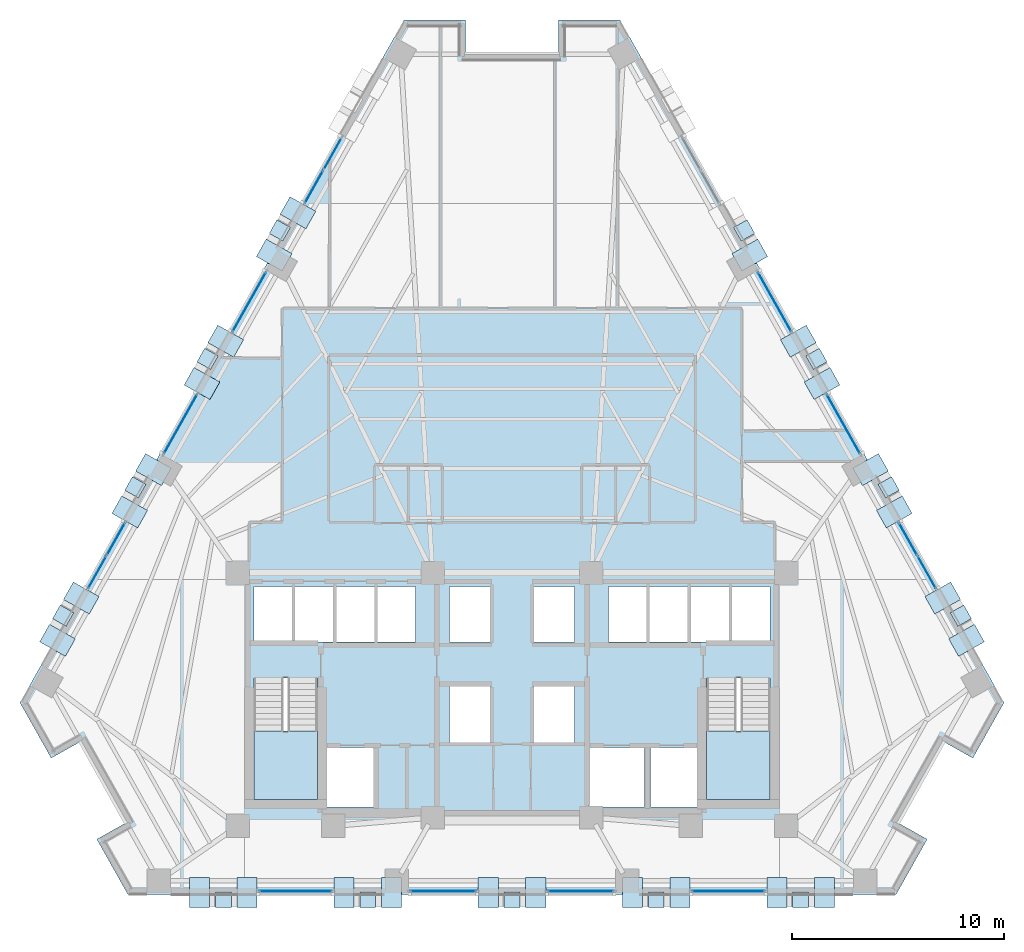
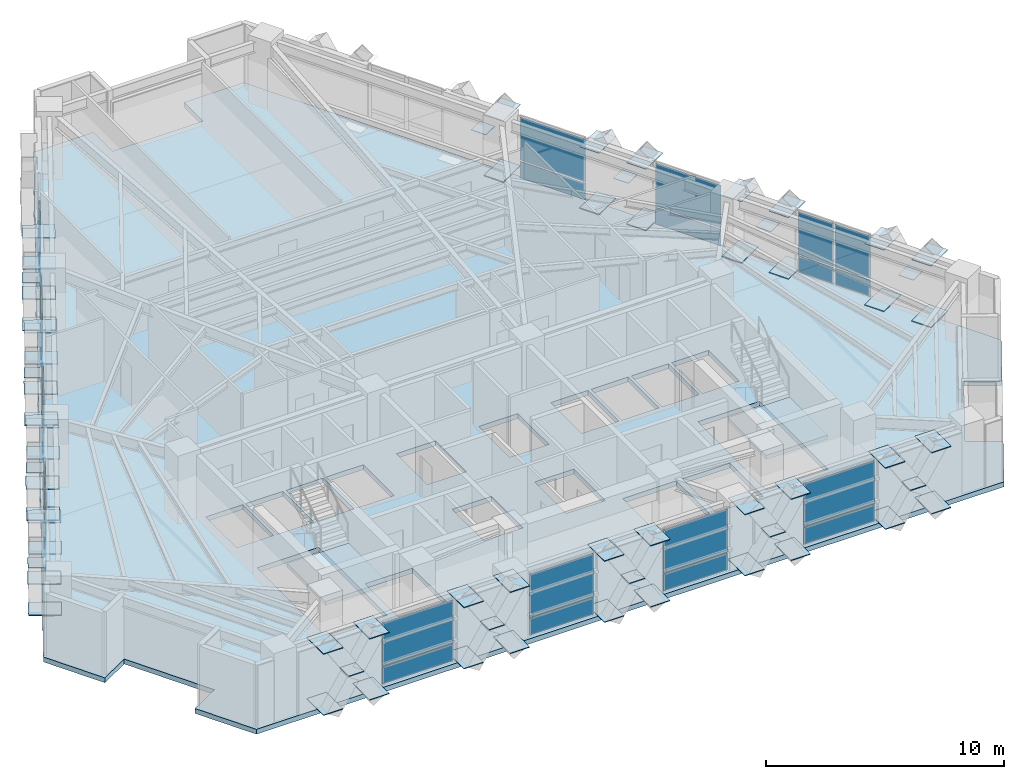
# One storey, part 6 of 14: 90 plates, 3 slabs, 13 elements without a shape of their own.
"""IFC4 building model written with IfcOpenShell, lengths in metres."""

import ifcopenshell
import ifcopenshell.guid

model = None  # the IFC model being written
_history = None  # IfcOwnerHistory: only IFC2X3 demands one
_inside = {}  # id of a spatial element -> (the spatial element, [elements in it])
_under = {}  # id of a project, library or spatial element -> (it, [spatial elements below it])
_declared = {}  # id of a project -> (the project, [libraries it declares])
_typed = {}  # id of a type object -> (the type object, [elements of that type])
_made_of = {}  # id of a material, layer set ... -> (it, [elements and type objects made of it])


def new_model(schema):
    """Start an empty IFC model of exactly this schema.

    Asked for "IFC4X3", IfcOpenShell would pick the latest addendum, in which some entities
    have other attributes; the version numbers below select the first issue.
    IFC2X3 requires an IfcOwnerHistory on every rooted entity: one is made here for all.
    """
    global model, _history
    if schema == "IFC4X3":
        model = ifcopenshell.file(schema_version=(4, 3, 0, 0))
    else:
        model = ifcopenshell.file(schema=schema)
    _inside.clear()
    _under.clear()
    _declared.clear()
    _typed.clear()
    _made_of.clear()
    _history = None
    if model.schema == "IFC2X3":
        org = make("IfcOrganization", Name="unknown")
        user = make(
            "IfcPersonAndOrganization",
            ThePerson=make("IfcPerson", FamilyName="unknown"),
            TheOrganization=org,
        )
        app = make(
            "IfcApplication",
            ApplicationDeveloper=org,
            Version="unknown",
            ApplicationFullName="unknown",
            ApplicationIdentifier="unknown",
        )
        _history = make(
            "IfcOwnerHistory",
            OwningUser=user,
            OwningApplication=app,
            ChangeAction="ADDED",
            CreationDate=0,
        )
    return model


def make(cls, **values):
    """One entity of the class cls with the attributes given. An attribute that is None is left unset."""
    return model.create_entity(
        cls, **{name: value for name, value in values.items() if value is not None}
    )


def rooted(cls, **values):
    """An entity with a GlobalId (a new one), such as an element, a storey or a relation."""
    return make(cls, GlobalId=ifcopenshell.guid.new(), OwnerHistory=_history, **values)


def si_unit(unit_type, name, prefix=None):
    """IfcSIUnit, for example si_unit("LENGTHUNIT", "METRE", prefix="MILLI")."""
    return make("IfcSIUnit", UnitType=unit_type, Prefix=prefix, Name=name)


def assignment(units):
    """IfcUnitAssignment: the units of a project."""
    return None if units is None else make("IfcUnitAssignment", Units=units)


def point(xyz):
    """IfcCartesianPoint."""
    return None if xyz is None else make("IfcCartesianPoint", Coordinates=xyz)


def direction(xyz):
    """IfcDirection."""
    return None if xyz is None else make("IfcDirection", DirectionRatios=xyz)


def frame(location, z_axis=None, x_axis=None):
    """IfcAxis2Placement3D, a coordinate frame: its origin and axes. An axis left out is left unset."""
    return make(
        "IfcAxis2Placement3D",
        Location=point(location),
        Axis=direction(z_axis),
        RefDirection=direction(x_axis),
    )


def frame_2d(location, x_axis=None):
    """IfcAxis2Placement2D, a coordinate frame in the plane: its origin and x axis."""
    return make(
        "IfcAxis2Placement2D", Location=point(location), RefDirection=direction(x_axis)
    )


def origin():
    """The frame at (0, 0, 0) with its axes left unset."""
    return frame((0.0, 0.0, 0.0))


def origin_2d():
    """The frame at (0, 0) in the plane with its x axis left unset."""
    return frame_2d((0.0, 0.0))


def place(relative_to, where):
    """IfcLocalPlacement: puts the frame where relative to a parent placement (None: the world)."""
    return make(
        "IfcLocalPlacement", PlacementRelTo=relative_to, RelativePlacement=where
    )


def context(
    kind, dimensions, precision=None, world=None, true_north=None, identifier=None
):
    """IfcGeometricRepresentationContext, for example the 3D "Model" context."""
    return make(
        "IfcGeometricRepresentationContext",
        ContextIdentifier=identifier,
        ContextType=kind,
        CoordinateSpaceDimension=dimensions,
        Precision=precision,
        WorldCoordinateSystem=world,
        TrueNorth=true_north,
    )


def subcontext(parent, identifier, kind, view, scale=None):
    """IfcGeometricRepresentationSubContext, for example "Body" below "Model"."""
    return make(
        "IfcGeometricRepresentationSubContext",
        ContextIdentifier=identifier,
        ContextType=kind,
        ParentContext=parent,
        TargetScale=scale,
        TargetView=view,
    )


def project(units=None, contexts=None):
    """IfcProject with its units and contexts."""
    return rooted(
        "IfcProject",
        Name="project",
        RepresentationContexts=contexts,
        UnitsInContext=assignment(units),
    )


def spatial(cls, under=None, at=None, **own):
    """A site, building, storey or space (cls), placed at a placement, below another one or the project."""
    s = rooted(cls, ObjectPlacement=at, **own)
    if under is not None:
        _under.setdefault(under.id(), (under, []))[1].append(s)
    return s


def polyline(points):
    """IfcPolyline through the points."""
    return make("IfcPolyline", Points=[point(p) for p in points])


def profile(cls, at=None, kind="AREA", **sizes):
    """A parametric profile (cls). Its sizes go by their IFC names, for example OverallWidth=200.0."""
    return make(cls, ProfileType=kind, Position=at, **sizes)


def rectangle(**sizes):
    """IfcRectangleProfileDef."""
    return profile("IfcRectangleProfileDef", **sizes)


def outline(outer, holes=None, kind="AREA"):
    """IfcArbitraryClosedProfileDef: a profile drawn as a closed curve; with holes, ...WithVoids."""
    if holes is None:
        return make("IfcArbitraryClosedProfileDef", ProfileType=kind, OuterCurve=outer)
    return make(
        "IfcArbitraryProfileDefWithVoids",
        ProfileType=kind,
        OuterCurve=outer,
        InnerCurves=holes,
    )


def extrude(swept, where, along, depth):
    """IfcExtrudedAreaSolid: the profile swept, set in the frame where, extruded along a direction by depth."""
    return make(
        "IfcExtrudedAreaSolid",
        SweptArea=swept,
        Position=where,
        ExtrudedDirection=direction(along),
        Depth=depth,
    )


def shape(context_of_items, identifier, shape_type, items):
    """IfcShapeRepresentation: the items that make up one representation, for example the "Body"."""
    return make(
        "IfcShapeRepresentation",
        ContextOfItems=context_of_items,
        RepresentationIdentifier=identifier,
        RepresentationType=shape_type,
        Items=items,
    )


def material(Name=None, Category=None):
    """IfcMaterial."""
    return make("IfcMaterial", Name=Name, Category=Category)


def layer(
    of_material, thickness, ventilated=None, Name=None, Category=None, Priority=None
):
    """IfcMaterialLayer: one layer of a wall or slab, of a material (None: an air gap)."""
    return make(
        "IfcMaterialLayer",
        Material=of_material,
        LayerThickness=thickness,
        IsVentilated=ventilated,
        Name=Name,
        Category=Category,
        Priority=Priority,
    )


def layer_set(layers, Name=None):
    """IfcMaterialLayerSet."""
    return make("IfcMaterialLayerSet", MaterialLayers=layers, LayerSetName=Name)


def made_of(thing, what):
    """Note that an element or type object is made of a material, layer set ...; save() writes the relation."""
    if what is not None:
        _made_of.setdefault(what.id(), (what, []))[1].append(thing)
    return thing


def type_object(cls, material=None, **own):
    """A type object (cls), such as IfcWallType, which elements share."""
    return made_of(rooted(cls, **own), material)


def element(
    cls,
    number,
    at=None,
    inside=None,
    cuts=None,
    type_object=None,
    material=None,
    context=None,
    identifier="Body",
    shape_type=None,
    held_by="IfcProductDefinitionShape",
    body=None,
    shapes=None,
    **own,
):
    """One element of the class cls, such as IfcWall. Its Tag is "e" and its number.

    at: its placement. inside: the storey or other place that contains it. cuts: it is an
    opening in that element (IfcRelVoidsElement). A single representation is given by context,
    identifier, shape_type and body (its items); several are given by shapes. held_by: the class
    of the entity that holds the representations. save() writes the other relations.
    """
    e = rooted(cls, Tag="e%d" % number, ObjectPlacement=at, **own)
    if body is not None:
        shapes = [shape(context, identifier, shape_type, body)]
    if shapes is not None:
        e.Representation = make(held_by, Representations=shapes)
    if inside is not None:
        _inside.setdefault(inside.id(), (inside, []))[1].append(e)
    if cuts is not None:
        rooted(
            "IfcRelVoidsElement", RelatingBuildingElement=cuts, RelatedOpeningElement=e
        )
    if type_object is not None:
        _typed.setdefault(type_object.id(), (type_object, []))[1].append(e)
    return made_of(e, material)


def aggregate(whole, parts):
    """IfcRelAggregates: a whole, such as a stair, and the parts it consists of."""
    return rooted("IfcRelAggregates", RelatingObject=whole, RelatedObjects=parts)


def save(model, path):
    """Write the relations noted so far, then the file.

    IfcRelAggregates (storeys below a building ...), IfcRelContainedInSpatialStructure (elements
    in a storey), IfcRelDefinesByType, IfcRelAssociatesMaterial and IfcRelDeclares: one each for
    every whole, place, type object, material and project.
    """
    for whole, parts in _under.values():
        aggregate(whole, parts)
    for where, things in _inside.values():
        rooted(
            "IfcRelContainedInSpatialStructure",
            RelatedElements=things,
            RelatingStructure=where,
        )
    for kind, things in _typed.values():
        rooted("IfcRelDefinesByType", RelatedObjects=things, RelatingType=kind)
    for what, things in _made_of.values():
        rooted("IfcRelAssociatesMaterial", RelatedObjects=things, RelatingMaterial=what)
    for by, libraries in _declared.values():
        rooted("IfcRelDeclares", RelatingContext=by, RelatedDefinitions=libraries)
    model.write(path)


model = new_model("IFC4")

# Units and contexts
model_context = context("Model", 3, precision=1e-05, world=origin(), true_north=direction((0.0, 1.0)))
body_context = subcontext(model_context, "Body", "Model", "MODEL_VIEW")
ifc_project = project(units=[si_unit("LENGTHUNIT", "METRE"), si_unit("AREAUNIT", "SQUARE_METRE"), si_unit("VOLUMEUNIT", "CUBIC_METRE"), si_unit("PLANEANGLEUNIT", "RADIAN"), si_unit("MASSUNIT", "GRAM", prefix="KILO")], contexts=[model_context])

# Site, building, storey
site_placement = place(None, origin())
site = spatial("IfcSite", under=ifc_project, at=site_placement, CompositionType="ELEMENT")
building_placement = place(site_placement, origin())
building = spatial("IfcBuilding", under=site, at=building_placement, Name="Quenlor Broadcast Tower", CompositionType="ELEMENT")
storey_placement = place(building_placement, frame((0.0, 0.0, 80.10009765625)))
storey = spatial("IfcBuildingStorey", under=building, at=storey_placement, Name="L21", CompositionType="ELEMENT", Elevation=80.10009765625)

# Curtain wall, plates
ifc_material_1 = material(Name="Architectural Terracotta and Low-E Glazing", Category="masonry")
curtain_wall_type = type_object("IfcCurtainWallType", Name="Unitised Terracotta Curtain Wall System Z2", PredefinedType="NOTDEFINED", material=ifc_material_1)
curtain_wall_1_placement = place(storey_placement, origin())
curtain_wall_1 = element("IfcCurtainWall", 1, at=curtain_wall_1_placement, inside=storey, type_object=curtain_wall_type, Name="L21 Curtain Wall CW2 (L21-SA-G1)", PredefinedType="NOTDEFINED")
ifc_material_2 = material(Name="Double Glazed Low-E Solar Glass", Category="glass")
ifc_layer_1 = layer(ifc_material_2, 0.030029296875)
ifc_layer_set_1 = layer_set([ifc_layer_1], Name="CW2 Double Glazed Vision Panel 30")
plate_type_1 = type_object("IfcPlateType", Name="CW2 Double Glazed Vision Panel 30", PredefinedType="CURTAIN_PANEL", material=ifc_layer_set_1)
plate_1_placement = place(storey_placement, frame((10.226318359375, -19.840087890625, 0.074951171875), z_axis=(0.0, 0.0, 1.0), x_axis=(-1.0, 0.0, 0.0)))
plate_1 = element("IfcPlate", 2, at=plate_1_placement, type_object=plate_type_1, Name="CW2 panel 1.1", PredefinedType="CURTAIN_PANEL", context=body_context, shape_type="SweptSolid", body=[
    extrude(rectangle(XDim=3.435546875, YDim=0.030029296875, at=origin_2d()), origin(), (0.0, 0.0, 1.0), 0.83740234375),
])
plate_2_placement = place(storey_placement, frame((10.226318359375, -19.840087890625, 0.9873046875), z_axis=(0.0, 0.0, 1.0), x_axis=(-1.0, 0.0, 0.0)))
plate_2 = element("IfcPlate", 3, at=plate_2_placement, type_object=plate_type_1, Name="CW2 panel 1.2", PredefinedType="CURTAIN_PANEL", context=body_context, shape_type="SweptSolid", body=[
    extrude(rectangle(XDim=3.435546875, YDim=0.030029296875, at=origin_2d()), origin(), (0.0, 0.0, 1.0), 2.1875),
])
aggregate(curtain_wall_1, [plate_1, plate_2])

curtain_wall_2_placement = place(storey_placement, origin())
curtain_wall_2 = element("IfcCurtainWall", 4, at=curtain_wall_2_placement, inside=storey, type_object=curtain_wall_type, Name="L21 Curtain Wall CW2 (L21-SC-G1)", PredefinedType="NOTDEFINED")
plate_3_placement = place(storey_placement, frame((-10.226318359375, -19.840087890625, 0.074951171875), z_axis=(0.0, 0.0, 1.0), x_axis=(-1.0, 0.0, 0.0)))
plate_3 = element("IfcPlate", 5, at=plate_3_placement, type_object=plate_type_1, Name="CW2 panel 1.1", PredefinedType="CURTAIN_PANEL", context=body_context, shape_type="SweptSolid", body=[
    extrude(rectangle(XDim=3.435546875, YDim=0.030029296875, at=origin_2d()), origin(), (0.0, 0.0, 1.0), 0.83740234375),
])
plate_4_placement = place(storey_placement, frame((-10.226318359375, -19.840087890625, 0.9873046875), z_axis=(0.0, 0.0, 1.0), x_axis=(-1.0, 0.0, 0.0)))
plate_4 = element("IfcPlate", 6, at=plate_4_placement, type_object=plate_type_1, Name="CW2 panel 1.2", PredefinedType="CURTAIN_PANEL", context=body_context, shape_type="SweptSolid", body=[
    extrude(rectangle(XDim=3.435546875, YDim=0.030029296875, at=origin_2d()), origin(), (0.0, 0.0, 1.0), 2.1875),
])
aggregate(curtain_wall_2, [plate_3, plate_4])

curtain_wall_3_placement = place(storey_placement, origin())
curtain_wall_3 = element("IfcCurtainWall", 7, at=curtain_wall_3_placement, inside=storey, type_object=curtain_wall_type, Name="L21 Curtain Wall CW2 (L21-S-G1)", PredefinedType="NOTDEFINED")
plate_5_placement = place(storey_placement, frame((3.24462890625, -19.840087890625, 0.074951171875), z_axis=(0.0, 0.0, 1.0), x_axis=(-1.0, 0.0, 0.0)))
plate_5 = element("IfcPlate", 8, at=plate_5_placement, type_object=plate_type_1, Name="CW2 panel 1.1", PredefinedType="CURTAIN_PANEL", context=body_context, shape_type="SweptSolid", body=[
    extrude(rectangle(XDim=3.107177734375, YDim=0.030029296875, at=origin_2d()), origin(), (0.0, 0.0, 1.0), 0.83740234375),
])
plate_6_placement = place(storey_placement, frame((3.24462890625, -19.840087890625, 0.9873046875), z_axis=(0.0, 0.0, 1.0), x_axis=(-1.0, 0.0, 0.0)))
plate_6 = element("IfcPlate", 9, at=plate_6_placement, type_object=plate_type_1, Name="CW2 panel 1.2", PredefinedType="CURTAIN_PANEL", context=body_context, shape_type="SweptSolid", body=[
    extrude(rectangle(XDim=3.107177734375, YDim=0.030029296875, at=origin_2d()), origin(), (0.0, 0.0, 1.0), 2.1875),
])
aggregate(curtain_wall_3, [plate_5, plate_6])

curtain_wall_4_placement = place(storey_placement, origin())
curtain_wall_4 = element("IfcCurtainWall", 10, at=curtain_wall_4_placement, inside=storey, type_object=curtain_wall_type, Name="L21 Curtain Wall CW2 (L21-S-G2)", PredefinedType="NOTDEFINED")
plate_7_placement = place(storey_placement, frame((-3.24462890625, -19.840087890625, 0.074951171875), z_axis=(0.0, 0.0, 1.0), x_axis=(-1.0, 0.0, 0.0)))
plate_7 = element("IfcPlate", 11, at=plate_7_placement, type_object=plate_type_1, Name="CW2 panel 1.1", PredefinedType="CURTAIN_PANEL", context=body_context, shape_type="SweptSolid", body=[
    extrude(rectangle(XDim=3.107177734375, YDim=0.030029296875, at=origin_2d()), origin(), (0.0, 0.0, 1.0), 0.83740234375),
])
plate_8_placement = place(storey_placement, frame((-3.24462890625, -19.840087890625, 0.9873046875), z_axis=(0.0, 0.0, 1.0), x_axis=(-1.0, 0.0, 0.0)))
plate_8 = element("IfcPlate", 12, at=plate_8_placement, type_object=plate_type_1, Name="CW2 panel 1.2", PredefinedType="CURTAIN_PANEL", context=body_context, shape_type="SweptSolid", body=[
    extrude(rectangle(XDim=3.107177734375, YDim=0.030029296875, at=origin_2d()), origin(), (0.0, 0.0, 1.0), 2.1875),
])
aggregate(curtain_wall_4, [plate_7, plate_8])

curtain_wall_5_placement = place(storey_placement, origin())
curtain_wall_5 = element("IfcCurtainWall", 13, at=curtain_wall_5_placement, inside=storey, type_object=curtain_wall_type, Name="L21 Curtain Wall CW2 (L21-NEC-G1)", PredefinedType="NOTDEFINED")
plate_9_placement = place(storey_placement, frame((18.712646484375, -3.193359375, 0.074951171875), z_axis=(0.0, 0.0, 1.0), x_axis=(0.490276701018, -0.871566839915, 0.0)))
plate_9 = element("IfcPlate", 14, at=plate_9_placement, type_object=plate_type_1, Name="CW2 panel 1.1", PredefinedType="CURTAIN_PANEL", context=body_context, shape_type="SweptSolid", body=[
    extrude(rectangle(XDim=1.72998046875, YDim=0.030029296875, at=origin_2d()), origin(), (0.0, 0.0, 1.0), 0.83740234375),
])
plate_10_placement = place(storey_placement, frame((18.712646484375, -3.193359375, 0.9873046875), z_axis=(0.0, 0.0, 1.0), x_axis=(0.490276701018, -0.871566839915, 0.0)))
plate_10 = element("IfcPlate", 15, at=plate_10_placement, type_object=plate_type_1, Name="CW2 panel 1.2", PredefinedType="CURTAIN_PANEL", context=body_context, shape_type="SweptSolid", body=[
    extrude(rectangle(XDim=1.72998046875, YDim=0.030029296875, at=origin_2d()), origin(), (0.0, 0.0, 1.0), 2.1875),
])
plate_11_placement = place(storey_placement, frame((19.59765625, -4.7666015625, 0.074951171875), z_axis=(0.0, 0.0, 1.0), x_axis=(0.490276701018, -0.871566839915, 0.0)))
plate_11 = element("IfcPlate", 16, at=plate_11_placement, type_object=plate_type_1, Name="CW2 panel 2.1", PredefinedType="CURTAIN_PANEL", context=body_context, shape_type="SweptSolid", body=[
    extrude(rectangle(XDim=1.72998046875, YDim=0.030029296875, at=origin_2d()), origin(), (0.0, 0.0, 1.0), 0.83740234375),
])
plate_12_placement = place(storey_placement, frame((19.59765625, -4.7666015625, 0.9873046875), z_axis=(0.0, 0.0, 1.0), x_axis=(0.490276701018, -0.871566839915, 0.0)))
plate_12 = element("IfcPlate", 17, at=plate_12_placement, type_object=plate_type_1, Name="CW2 panel 2.2", PredefinedType="CURTAIN_PANEL", context=body_context, shape_type="SweptSolid", body=[
    extrude(rectangle(XDim=1.72998046875, YDim=0.030029296875, at=origin_2d()), origin(), (0.0, 0.0, 1.0), 2.1875),
])
aggregate(curtain_wall_5, [plate_9, plate_10, plate_11, plate_12])

curtain_wall_6_placement = place(storey_placement, origin())
curtain_wall_6 = element("IfcCurtainWall", 18, at=curtain_wall_6_placement, inside=storey, type_object=curtain_wall_type, Name="L21 Curtain Wall CW2 (L21-NE-G1)", PredefinedType="NOTDEFINED")
plate_13_placement = place(storey_placement, frame((12.412841796875, 8.00634765625, 0.074951171875), z_axis=(0.0, 0.0, 1.0), x_axis=(0.490261239636, -0.871575537123, 0.0)))
plate_13 = element("IfcPlate", 19, at=plate_13_placement, type_object=plate_type_1, Name="CW2 panel 1.1", PredefinedType="CURTAIN_PANEL", context=body_context, shape_type="SweptSolid", body=[
    extrude(rectangle(XDim=3.19287109375, YDim=0.030029296875, at=origin_2d()), origin(), (0.0, 0.0, 1.0), 0.83740234375),
])
plate_14_placement = place(storey_placement, frame((12.412841796875, 8.00634765625, 0.9873046875), z_axis=(0.0, 0.0, 1.0), x_axis=(0.490261239636, -0.871575537123, 0.0)))
plate_14 = element("IfcPlate", 20, at=plate_14_placement, type_object=plate_type_1, Name="CW2 panel 1.2", PredefinedType="CURTAIN_PANEL", context=body_context, shape_type="SweptSolid", body=[
    extrude(rectangle(XDim=3.19287109375, YDim=0.030029296875, at=origin_2d()), origin(), (0.0, 0.0, 1.0), 2.1875),
])
aggregate(curtain_wall_6, [plate_13, plate_14])

curtain_wall_7_placement = place(storey_placement, origin())
curtain_wall_7 = element("IfcCurtainWall", 21, at=curtain_wall_7_placement, inside=storey, type_object=curtain_wall_type, Name="L21 Curtain Wall CW2 (L21-NE-G2)", PredefinedType="NOTDEFINED")
plate_15_placement = place(storey_placement, frame((15.658203125, 2.23681640625, 0.074951171875), z_axis=(0.0, 0.0, 1.0), x_axis=(0.490261239636, -0.871575537123, 0.0)))
plate_15 = element("IfcPlate", 22, at=plate_15_placement, type_object=plate_type_1, Name="CW2 panel 1.1", PredefinedType="CURTAIN_PANEL", context=body_context, shape_type="SweptSolid", body=[
    extrude(rectangle(XDim=3.19287109375, YDim=0.030029296875, at=origin_2d()), origin(), (0.0, 0.0, 1.0), 0.83740234375),
])
plate_16_placement = place(storey_placement, frame((15.658203125, 2.23681640625, 0.9873046875), z_axis=(0.0, 0.0, 1.0), x_axis=(0.490261239636, -0.871575537123, 0.0)))
plate_16 = element("IfcPlate", 23, at=plate_16_placement, type_object=plate_type_1, Name="CW2 panel 1.2", PredefinedType="CURTAIN_PANEL", context=body_context, shape_type="SweptSolid", body=[
    extrude(rectangle(XDim=3.19287109375, YDim=0.030029296875, at=origin_2d()), origin(), (0.0, 0.0, 1.0), 2.1875),
])
aggregate(curtain_wall_7, [plate_15, plate_16])

curtain_wall_8_placement = place(storey_placement, origin())
curtain_wall_8 = element("IfcCurtainWall", 24, at=curtain_wall_8_placement, inside=storey, type_object=curtain_wall_type, Name="L21 Curtain Wall CW2 (L21-NWA-G1)", PredefinedType="NOTDEFINED")
plate_17_placement = place(storey_placement, frame((-19.59765625, -4.7666015625, 0.074951171875), z_axis=(0.0, 0.0, 1.0), x_axis=(0.490276701018, 0.871566839915, 0.0)))
plate_17 = element("IfcPlate", 25, at=plate_17_placement, type_object=plate_type_1, Name="CW2 panel 1.1", PredefinedType="CURTAIN_PANEL", context=body_context, shape_type="SweptSolid", body=[
    extrude(rectangle(XDim=1.72998046875, YDim=0.030029296875, at=origin_2d()), origin(), (0.0, 0.0, 1.0), 0.83740234375),
])
plate_18_placement = place(storey_placement, frame((-19.59765625, -4.7666015625, 0.9873046875), z_axis=(0.0, 0.0, 1.0), x_axis=(0.490276701018, 0.871566839915, 0.0)))
plate_18 = element("IfcPlate", 26, at=plate_18_placement, type_object=plate_type_1, Name="CW2 panel 1.2", PredefinedType="CURTAIN_PANEL", context=body_context, shape_type="SweptSolid", body=[
    extrude(rectangle(XDim=1.72998046875, YDim=0.030029296875, at=origin_2d()), origin(), (0.0, 0.0, 1.0), 2.1875),
])
plate_19_placement = place(storey_placement, frame((-18.712646484375, -3.193359375, 0.074951171875), z_axis=(0.0, 0.0, 1.0), x_axis=(0.490276701018, 0.871566839915, 0.0)))
plate_19 = element("IfcPlate", 27, at=plate_19_placement, type_object=plate_type_1, Name="CW2 panel 2.1", PredefinedType="CURTAIN_PANEL", context=body_context, shape_type="SweptSolid", body=[
    extrude(rectangle(XDim=1.72998046875, YDim=0.030029296875, at=origin_2d()), origin(), (0.0, 0.0, 1.0), 0.83740234375),
])
plate_20_placement = place(storey_placement, frame((-18.712646484375, -3.193359375, 0.9873046875), z_axis=(0.0, 0.0, 1.0), x_axis=(0.490276701018, 0.871566839915, 0.0)))
plate_20 = element("IfcPlate", 28, at=plate_20_placement, type_object=plate_type_1, Name="CW2 panel 2.2", PredefinedType="CURTAIN_PANEL", context=body_context, shape_type="SweptSolid", body=[
    extrude(rectangle(XDim=1.72998046875, YDim=0.030029296875, at=origin_2d()), origin(), (0.0, 0.0, 1.0), 2.1875),
])
aggregate(curtain_wall_8, [plate_17, plate_18, plate_19, plate_20])

curtain_wall_9_placement = place(storey_placement, origin())
curtain_wall_9 = element("IfcCurtainWall", 29, at=curtain_wall_9_placement, inside=storey, type_object=curtain_wall_type, Name="L21 Curtain Wall CW2 (L21-NWC-G1)", PredefinedType="NOTDEFINED")
plate_21_placement = place(storey_placement, frame((-9.3583984375, 13.4365234375, 0.074951171875), z_axis=(0.0, 0.0, 1.0), x_axis=(0.490265104904, 0.871573362898, 0.0)))
plate_21 = element("IfcPlate", 30, at=plate_21_placement, type_object=plate_type_1, Name="CW2 panel 1.1", PredefinedType="CURTAIN_PANEL", context=body_context, shape_type="SweptSolid", body=[
    extrude(rectangle(XDim=1.72998046875, YDim=0.030029296875, at=origin_2d()), origin(), (0.0, 0.0, 1.0), 0.83740234375),
])
plate_22_placement = place(storey_placement, frame((-9.3583984375, 13.4365234375, 0.9873046875), z_axis=(0.0, 0.0, 1.0), x_axis=(0.490265104904, 0.871573362898, 0.0)))
plate_22 = element("IfcPlate", 31, at=plate_22_placement, type_object=plate_type_1, Name="CW2 panel 1.2", PredefinedType="CURTAIN_PANEL", context=body_context, shape_type="SweptSolid", body=[
    extrude(rectangle(XDim=1.72998046875, YDim=0.030029296875, at=origin_2d()), origin(), (0.0, 0.0, 1.0), 2.1875),
])
plate_23_placement = place(storey_placement, frame((-8.473388671875, 15.009765625, 0.074951171875), z_axis=(0.0, 0.0, 1.0), x_axis=(0.490265104904, 0.871573362898, 0.0)))
plate_23 = element("IfcPlate", 32, at=plate_23_placement, type_object=plate_type_1, Name="CW2 panel 2.1", PredefinedType="CURTAIN_PANEL", context=body_context, shape_type="SweptSolid", body=[
    extrude(rectangle(XDim=1.72998046875, YDim=0.030029296875, at=origin_2d()), origin(), (0.0, 0.0, 1.0), 0.83740234375),
])
aggregate(curtain_wall_9, [plate_21, plate_22, plate_23])

curtain_wall_10_placement = place(storey_placement, origin())
curtain_wall_10 = element("IfcCurtainWall", 33, at=curtain_wall_10_placement, inside=storey, type_object=curtain_wall_type, Name="L21 Curtain Wall CW2 (L21-NW-G1)", PredefinedType="NOTDEFINED")
plate_24_placement = place(storey_placement, frame((-15.658203125, 2.23681640625, 0.074951171875), z_axis=(0.0, 0.0, 1.0), x_axis=(0.490261239636, 0.871575537123, 0.0)))
plate_24 = element("IfcPlate", 34, at=plate_24_placement, type_object=plate_type_1, Name="CW2 panel 1.1", PredefinedType="CURTAIN_PANEL", context=body_context, shape_type="SweptSolid", body=[
    extrude(rectangle(XDim=3.19287109375, YDim=0.030029296875, at=origin_2d()), origin(), (0.0, 0.0, 1.0), 0.83740234375),
])
plate_25_placement = place(storey_placement, frame((-15.658203125, 2.23681640625, 0.9873046875), z_axis=(0.0, 0.0, 1.0), x_axis=(0.490261239636, 0.871575537123, 0.0)))
plate_25 = element("IfcPlate", 35, at=plate_25_placement, type_object=plate_type_1, Name="CW2 panel 1.2", PredefinedType="CURTAIN_PANEL", context=body_context, shape_type="SweptSolid", body=[
    extrude(rectangle(XDim=3.19287109375, YDim=0.030029296875, at=origin_2d()), origin(), (0.0, 0.0, 1.0), 2.1875),
])
aggregate(curtain_wall_10, [plate_24, plate_25])

curtain_wall_11_placement = place(storey_placement, origin())
curtain_wall_11 = element("IfcCurtainWall", 36, at=curtain_wall_11_placement, inside=storey, type_object=curtain_wall_type, Name="L21 Curtain Wall CW2 (L21-NW-G2)", PredefinedType="NOTDEFINED")
plate_26_placement = place(storey_placement, frame((-12.412841796875, 8.00634765625, 0.074951171875), z_axis=(0.0, 0.0, 1.0), x_axis=(0.490261239636, 0.871575537123, 0.0)))
plate_26 = element("IfcPlate", 37, at=plate_26_placement, type_object=plate_type_1, Name="CW2 panel 1.1", PredefinedType="CURTAIN_PANEL", context=body_context, shape_type="SweptSolid", body=[
    extrude(rectangle(XDim=3.19287109375, YDim=0.030029296875, at=origin_2d()), origin(), (0.0, 0.0, 1.0), 0.83740234375),
])
plate_27_placement = place(storey_placement, frame((-12.412841796875, 8.00634765625, 0.9873046875), z_axis=(0.0, 0.0, 1.0), x_axis=(0.490261239636, 0.871575537123, 0.0)))
plate_27 = element("IfcPlate", 38, at=plate_27_placement, type_object=plate_type_1, Name="CW2 panel 1.2", PredefinedType="CURTAIN_PANEL", context=body_context, shape_type="SweptSolid", body=[
    extrude(rectangle(XDim=3.19287109375, YDim=0.030029296875, at=origin_2d()), origin(), (0.0, 0.0, 1.0), 2.1875),
])
aggregate(curtain_wall_11, [plate_26, plate_27])

# Plates
ifc_material_3 = material(Name="Steel S355", Category="steel")
ifc_layer_2 = layer(ifc_material_3, 0.028076171875)
ifc_layer_set_2 = layer_set([ifc_layer_2], Name="Perimeter Lattice Node Steel S355 Cap Plate 740x740x28")
plate_type_2 = type_object("IfcPlateType", Name="Perimeter Lattice Node Steel S355 Cap Plate 740x740x28", PredefinedType="USERDEFINED", material=ifc_layer_set_2)
for number, where, z_axis, x_axis, name in (
    (39, (13.63525390625, -20.235107421875, 1.61572265625), (0.0, 0.0, 1.0), (-1.0, 0.0, 0.0), "L21 Diamond Lattice Crossing Node S-C1"),
    (40, (6.817626953125, -20.235107421875, 1.61572265625), (0.0, 0.0, 1.0), (-1.0, 0.0, 0.0), "L21 Diamond Lattice Crossing Node S-C2"),
    (41, (0.0, -20.235107421875, 1.61572265625), (0.0, 0.0, 1.0), (-1.0, 0.0, 0.0), "L21 Diamond Lattice Crossing Node S-C3"),
    (42, (-6.817626953125, -20.235107421875, 1.61572265625), (0.0, 0.0, 1.0), (-1.0, 0.0, 0.0), "L21 Diamond Lattice Crossing Node S-C4"),
    (43, (-13.63525390625, -20.235107421875, 1.61572265625), (0.0, 0.0, 1.0), (-1.0, 0.0, 0.0), "L21 Diamond Lattice Crossing Node S-C5"),
    (44, (10.966796875, 11.383056640625, 1.61572265625), (0.0, 0.0, 1.0), (0.490295412055, -0.871556314255, 0.0), "L21 Diamond Lattice Crossing Node NE-C2"),
    (45, (14.3798828125, 5.315185546875, 1.61572265625), (0.0, 0.0, 1.0), (0.490295412055, -0.871556314255, 0.0), "L21 Diamond Lattice Crossing Node NE-C3"),
    (46, (17.79296875, -0.75244140625, 1.61572265625), (0.0, 0.0, 1.0), (0.490295412055, -0.871556314255, 0.0), "L21 Diamond Lattice Crossing Node NE-C4"),
    (47, (21.2060546875, -6.820068359375, 1.61572265625), (0.0, 0.0, 1.0), (0.490295412055, -0.871556314255, 0.0), "L21 Diamond Lattice Crossing Node NE-C5"),
    (48, (-21.2060546875, -6.820068359375, 1.61572265625), (0.0, 0.0, 1.0), (0.490295412055, 0.871556314255, 0.0), "L21 Diamond Lattice Crossing Node NW-C1"),
    (49, (-17.79296875, -0.75244140625, 1.61572265625), (0.0, 0.0, 1.0), (0.490295412055, 0.871556314255, 0.0), "L21 Diamond Lattice Crossing Node NW-C2"),
    (50, (-14.3798828125, 5.315185546875, 1.61572265625), (0.0, 0.0, 1.0), (0.490295412055, 0.871556314255, 0.0), "L21 Diamond Lattice Crossing Node NW-C3"),
    (51, (-10.966796875, 11.383056640625, 1.61572265625), (0.0, 0.0, 1.0), (0.490295412055, 0.871556314255, 0.0), "L21 Diamond Lattice Crossing Node NW-C4"),
):
    element("IfcPlate", number, at=place(storey_placement, frame(where, z_axis=z_axis, x_axis=x_axis)), inside=storey, type_object=plate_type_2, Name=name, ObjectType="CAP PLATE", PredefinedType="USERDEFINED", context=body_context, shape_type="SweptSolid", body=[
        extrude(rectangle(XDim=0.739990234375, YDim=0.739990234375, at=origin_2d()), origin(), (0.0, 0.0, 1.0), 0.028076171875),
    ])

# Stair, slab
ifc_material_4 = material(Name="Precast concrete C40/50", Category="concrete")
stair_type = type_object("IfcStairType", Name="Precast Concrete C40/50 Dogleg Stair H350", PredefinedType="HALF_TURN_STAIR", material=ifc_material_4)
stair_1_placement = place(storey_placement, origin())
stair_1 = element("IfcStair", 52, at=stair_1_placement, inside=storey, type_object=stair_type, Name="L21 West Core Fire-Isolated Exit Stair ST-1", PredefinedType="HALF_TURN_STAIR")
ifc_material_5 = material(Name="Precast concrete C40/50", Category="concrete")
ifc_layer_3 = layer(ifc_material_5, 0.199951171875)
ifc_layer_set_3 = layer_set([ifc_layer_3], Name="Precast Concrete C40/50 Stair Landing Slab 200")
slab_type_1 = type_object("IfcSlabType", Name="Precast Concrete C40/50 Stair Landing Slab 200", PredefinedType="LANDING", material=ifc_layer_set_3)
slab_1_placement = place(storey_placement, frame((0.0, 0.0, 1.5498046875)))
slab_1 = element("IfcSlab", 53, at=slab_1_placement, type_object=slab_type_1, Name="ST-1 landing 1", PredefinedType="LANDING", context=body_context, shape_type="SweptSolid", body=[
    extrude(outline(polyline([(-12.199951171875, -12.27001953125), (-12.199951171875, -15.5), (-9.199951171875, -15.5), (-9.199951171875, -12.27001953125), (-12.199951171875, -12.27001953125)])), origin(), (0.0, 0.0, 1.0), 0.2001953125),
])
aggregate(stair_1, [slab_1])

stair_2_placement = place(storey_placement, origin())
stair_2 = element("IfcStair", 54, at=stair_2_placement, inside=storey, type_object=stair_type, Name="L21 East Core Fire-Isolated Exit Stair ST-2", PredefinedType="HALF_TURN_STAIR")
slab_2_placement = place(storey_placement, frame((0.0, 0.0, 1.5498046875)))
slab_2 = element("IfcSlab", 55, at=slab_2_placement, type_object=slab_type_1, Name="ST-2 landing 1", PredefinedType="LANDING", context=body_context, shape_type="SweptSolid", body=[
    extrude(outline(polyline([(9.199951171875, -12.27001953125), (9.199951171875, -15.5), (12.199951171875, -15.5), (12.199951171875, -12.27001953125), (9.199951171875, -12.27001953125)])), origin(), (0.0, 0.0, 1.0), 0.2001953125),
])
aggregate(stair_2, [slab_2])

# Slab
ifc_material_6 = material(Name="Concrete C40/50", Category="concrete")
ifc_layer_4 = layer(ifc_material_6, 0.25)
ifc_layer_set_4 = layer_set([ifc_layer_4], Name="Tower Composite Concrete C40/50 Slab 250")
slab_type_2 = type_object("IfcSlabType", Name="Tower Composite Concrete C40/50 Slab 250", PredefinedType="FLOOR", material=ifc_layer_set_4)
slab_3_placement = place(storey_placement, frame((0.0, 0.0, -0.25)))
element("IfcSlab", 56, at=slab_3_placement, inside=storey, type_object=slab_type_2, Name="L21 Structural Floor Slab", PredefinedType="FLOOR", context=body_context, shape_type="SweptSolid", body=[
    extrude(outline(polyline([(18.14404296875, -20.0), (19.616943359375, -17.381591796875), (18.222412109375, -16.596923828125), (20.379638671875, -12.76220703125), (21.774169921875, -13.54638671875), (23.2470703125, -10.927978515625), (5.10302734375, 21.327880859375), (2.199951171875, 21.327880859375), (2.199951171875, 19.72802734375), (-2.199951171875, 19.72802734375), (-2.199951171875, 21.327880859375), (-5.10302734375, 21.327880859375), (-23.2470703125, -10.927978515625), (-21.774169921875, -13.54638671875), (-20.379638671875, -12.76220703125), (-18.222412109375, -16.596923828125), (-19.616943359375, -17.381591796875), (-18.14404296875, -20.0), (18.14404296875, -20.0)]), holes=[polyline([(-12.199951171875, -9.758056640625), (-12.199951171875, -15.5), (-9.199951171875, -15.5), (-9.199951171875, -9.758056640625), (-12.199951171875, -9.758056640625)]), polyline([(9.199951171875, -9.758056640625), (9.199951171875, -15.5), (12.199951171875, -15.5), (12.199951171875, -9.758056640625), (9.199951171875, -9.758056640625)]), polyline([(-12.199951171875, -8.050048828125), (-10.39990234375, -8.050048828125), (-10.39990234375, -5.449951171875), (-12.199951171875, -5.449951171875), (-12.199951171875, -8.050048828125)]), polyline([(-10.25, -8.050048828125), (-8.449951171875, -8.050048828125), (-8.449951171875, -5.449951171875), (-10.25, -5.449951171875), (-10.25, -8.050048828125)]), polyline([(-8.300048828125, -8.050048828125), (-6.5, -8.050048828125), (-6.5, -5.449951171875), (-8.300048828125, -5.449951171875), (-8.300048828125, -8.050048828125)]), polyline([(-6.35009765625, -8.050048828125), (-4.550048828125, -8.050048828125), (-4.550048828125, -5.449951171875), (-6.35009765625, -5.449951171875), (-6.35009765625, -8.050048828125)]), polyline([(-2.949951171875, -8.050048828125), (-1.050048828125, -8.050048828125), (-1.050048828125, -5.449951171875), (-2.949951171875, -5.449951171875), (-2.949951171875, -8.050048828125)]), polyline([(1.050048828125, -8.050048828125), (2.949951171875, -8.050048828125), (2.949951171875, -5.449951171875), (1.050048828125, -5.449951171875), (1.050048828125, -8.050048828125)]), polyline([(-2.949951171875, -12.800048828125), (-1.050048828125, -12.800048828125), (-1.050048828125, -10.14990234375), (-2.949951171875, -10.14990234375), (-2.949951171875, -12.800048828125)]), polyline([(1.050048828125, -12.800048828125), (2.949951171875, -12.800048828125), (2.949951171875, -10.14990234375), (1.050048828125, -10.14990234375), (1.050048828125, -12.800048828125)]), polyline([(4.550048828125, -8.050048828125), (6.35009765625, -8.050048828125), (6.35009765625, -5.449951171875), (4.550048828125, -5.449951171875), (4.550048828125, -8.050048828125)]), polyline([(6.5, -8.050048828125), (8.300048828125, -8.050048828125), (8.300048828125, -5.449951171875), (6.5, -5.449951171875), (6.5, -8.050048828125)]), polyline([(8.449951171875, -8.050048828125), (10.25, -8.050048828125), (10.25, -5.449951171875), (8.449951171875, -5.449951171875), (8.449951171875, -8.050048828125)]), polyline([(10.39990234375, -8.050048828125), (12.199951171875, -8.050048828125), (12.199951171875, -5.449951171875), (10.39990234375, -5.449951171875), (10.39990234375, -8.050048828125)]), polyline([(-8.85009765625, -15.85009765625), (-6.550048828125, -15.85009765625), (-6.550048828125, -13.050048828125), (-8.85009765625, -13.050048828125), (-8.85009765625, -15.85009765625)]), polyline([(6.550048828125, -15.85009765625), (8.85009765625, -15.85009765625), (8.85009765625, -13.050048828125), (6.550048828125, -13.050048828125), (6.550048828125, -15.85009765625)]), polyline([(3.64990234375, -15.85009765625), (6.25, -15.85009765625), (6.25, -13.050048828125), (3.64990234375, -13.050048828125), (3.64990234375, -15.85009765625)])]), origin(), (0.0, 0.0, 1.0), 0.25),
])

# Plates
ifc_material_7 = material(Name="Steel S355", Category="steel")
ifc_layer_5 = layer(ifc_material_7, 0.035888671875)
ifc_layer_set_5 = layer_set([ifc_layer_5], Name="Transfer Truss Steel S355 Gusset Node Plate 1400x950x36")
plate_type_3 = type_object("IfcPlateType", Name="Transfer Truss Steel S355 Gusset Node Plate 1400x950x36", PredefinedType="SHEET", material=ifc_layer_set_5)
for number, where, z_axis, x_axis, name in (
    (57, (14.7578125, -19.89990234375, 0.0419921875), (0.0, 0.0, 1.0), (0.0, -1.0, 0.0), "L21 Lattice Tie Gusset Node S-B1"),
    (58, (12.5126953125, -19.89990234375, 3.18212890625), (0.0, 0.0, 1.0), (0.0, -1.0, 0.0), "L21 Lattice Tie Gusset Node S-T2"),
    (59, (12.5126953125, -19.89990234375, 0.0419921875), (0.0, 0.0, 1.0), (0.0, -1.0, 0.0), "L21 Lattice Tie Gusset Node S-B2"),
    (60, (14.7578125, -19.89990234375, 3.18212890625), (0.0, 0.0, 1.0), (0.0, -1.0, 0.0), "L21 Lattice Tie Gusset Node S-T1"),
    (61, (7.940185546875, -19.89990234375, 0.0419921875), (0.0, 0.0, 1.0), (0.0, -1.0, 0.0), "L21 Lattice Tie Gusset Node S-B4"),
    (62, (5.695068359375, -19.89990234375, 3.18212890625), (0.0, 0.0, 1.0), (0.0, -1.0, 0.0), "L21 Lattice Tie Gusset Node S-T5"),
    (63, (5.695068359375, -19.89990234375, 0.0419921875), (0.0, 0.0, 1.0), (0.0, -1.0, 0.0), "L21 Lattice Tie Gusset Node S-B5"),
    (64, (7.940185546875, -19.89990234375, 3.18212890625), (0.0, 0.0, 1.0), (0.0, -1.0, 0.0), "L21 Lattice Tie Gusset Node S-T4"),
    (65, (1.12255859375, -19.89990234375, 0.0419921875), (0.0, 0.0, 1.0), (0.0, -1.0, 0.0), "L21 Lattice Tie Gusset Node S-B7"),
    (66, (-1.12255859375, -19.89990234375, 3.18212890625), (0.0, 0.0, 1.0), (0.0, -1.0, 0.0), "L21 Lattice Tie Gusset Node S-T8"),
    (67, (-1.12255859375, -19.89990234375, 0.0419921875), (0.0, 0.0, 1.0), (0.0, -1.0, 0.0), "L21 Lattice Tie Gusset Node S-B8"),
    (68, (1.12255859375, -19.89990234375, 3.18212890625), (0.0, 0.0, 1.0), (0.0, -1.0, 0.0), "L21 Lattice Tie Gusset Node S-T7"),
    (69, (-5.695068359375, -19.89990234375, 0.0419921875), (0.0, 0.0, 1.0), (0.0, -1.0, 0.0), "L21 Lattice Tie Gusset Node S-B10"),
    (70, (-7.940185546875, -19.89990234375, 3.18212890625), (0.0, 0.0, 1.0), (0.0, -1.0, 0.0), "L21 Lattice Tie Gusset Node S-T11"),
    (71, (-7.940185546875, -19.89990234375, 0.0419921875), (0.0, 0.0, 1.0), (0.0, -1.0, 0.0), "L21 Lattice Tie Gusset Node S-B11"),
    (72, (-5.695068359375, -19.89990234375, 3.18212890625), (0.0, 0.0, 1.0), (0.0, -1.0, 0.0), "L21 Lattice Tie Gusset Node S-T10"),
    (73, (-12.5126953125, -19.89990234375, 0.0419921875), (0.0, 0.0, 1.0), (0.0, -1.0, 0.0), "L21 Lattice Tie Gusset Node S-B13"),
    (74, (-14.7578125, -19.89990234375, 3.18212890625), (0.0, 0.0, 1.0), (0.0, -1.0, 0.0), "L21 Lattice Tie Gusset Node S-T14"),
    (75, (-14.7578125, -19.89990234375, 0.0419921875), (0.0, 0.0, 1.0), (0.0, -1.0, 0.0), "L21 Lattice Tie Gusset Node S-B14"),
    (76, (-12.5126953125, -19.89990234375, 3.18212890625), (0.0, 0.0, 1.0), (0.0, -1.0, 0.0), "L21 Lattice Tie Gusset Node S-T13"),
    (77, (11.23681640625, 10.219482421875, 3.18212890625), (0.0, 0.0, 1.0), (0.871556314255, 0.490295412055, 0.0), "L21 Lattice Tie Gusset Node NE-T5"),
    (78, (11.23681640625, 10.219482421875, 0.0419921875), (0.0, 0.0, 1.0), (0.871556314255, 0.490295412055, 0.0), "L21 Lattice Tie Gusset Node NE-B5"),
    (79, (13.52587890625, 6.150146484375, 0.0419921875), (0.0, 0.0, 1.0), (0.871556314255, 0.490295412055, 0.0), "L21 Lattice Tie Gusset Node NE-B7"),
    (80, (14.64990234375, 4.15185546875, 3.18212890625), (0.0, 0.0, 1.0), (0.871556314255, 0.490295412055, 0.0), "L21 Lattice Tie Gusset Node NE-T8"),
    (81, (14.64990234375, 4.15185546875, 0.0419921875), (0.0, 0.0, 1.0), (0.871556314255, 0.490295412055, 0.0), "L21 Lattice Tie Gusset Node NE-B8"),
    (82, (13.52587890625, 6.150146484375, 3.18212890625), (0.0, 0.0, 1.0), (0.871556314255, 0.490295412055, 0.0), "L21 Lattice Tie Gusset Node NE-T7"),
    (83, (16.93896484375, 0.08251953125, 0.0419921875), (0.0, 0.0, 1.0), (0.871556314255, 0.490295412055, 0.0), "L21 Lattice Tie Gusset Node NE-B10"),
    (84, (18.06298828125, -1.915771484375, 3.18212890625), (0.0, 0.0, 1.0), (0.871556314255, 0.490295412055, 0.0), "L21 Lattice Tie Gusset Node NE-T11"),
    (85, (18.06298828125, -1.915771484375, 0.0419921875), (0.0, 0.0, 1.0), (0.871556314255, 0.490295412055, 0.0), "L21 Lattice Tie Gusset Node NE-B11"),
    (86, (16.93896484375, 0.08251953125, 3.18212890625), (0.0, 0.0, 1.0), (0.871556314255, 0.490295412055, 0.0), "L21 Lattice Tie Gusset Node NE-T10"),
    (87, (20.351806640625, -5.985107421875, 0.0419921875), (0.0, 0.0, 1.0), (0.871556314255, 0.490295412055, 0.0), "L21 Lattice Tie Gusset Node NE-B13"),
    (88, (21.47607421875, -7.9833984375, 3.18212890625), (0.0, 0.0, 1.0), (0.871556314255, 0.490295412055, 0.0), "L21 Lattice Tie Gusset Node NE-T14"),
    (89, (21.47607421875, -7.9833984375, 0.0419921875), (0.0, 0.0, 1.0), (0.871556314255, 0.490295412055, 0.0), "L21 Lattice Tie Gusset Node NE-B14"),
    (90, (20.351806640625, -5.985107421875, 3.18212890625), (0.0, 0.0, 1.0), (0.871556314255, 0.490295412055, 0.0), "L21 Lattice Tie Gusset Node NE-T13"),
    (91, (-21.47607421875, -7.9833984375, 0.0419921875), (0.0, 0.0, 1.0), (-0.871556314255, 0.490295412055, 0.0), "L21 Lattice Tie Gusset Node NW-B1"),
    (92, (-20.351806640625, -5.985107421875, 3.18212890625), (0.0, 0.0, 1.0), (-0.871556314255, 0.490295412055, 0.0), "L21 Lattice Tie Gusset Node NW-T2"),
    (93, (-20.351806640625, -5.985107421875, 0.0419921875), (0.0, 0.0, 1.0), (-0.871556314255, 0.490295412055, 0.0), "L21 Lattice Tie Gusset Node NW-B2"),
    (94, (-21.47607421875, -7.9833984375, 3.18212890625), (0.0, 0.0, 1.0), (-0.871556314255, 0.490295412055, 0.0), "L21 Lattice Tie Gusset Node NW-T1"),
    (95, (-18.06298828125, -1.915771484375, 0.0419921875), (0.0, 0.0, 1.0), (-0.871556314255, 0.490295412055, 0.0), "L21 Lattice Tie Gusset Node NW-B4"),
    (96, (-16.93896484375, 0.08251953125, 3.18212890625), (0.0, 0.0, 1.0), (-0.871556314255, 0.490295412055, 0.0), "L21 Lattice Tie Gusset Node NW-T5"),
    (97, (-16.93896484375, 0.08251953125, 0.0419921875), (0.0, 0.0, 1.0), (-0.871556314255, 0.490295412055, 0.0), "L21 Lattice Tie Gusset Node NW-B5"),
    (98, (-18.06298828125, -1.915771484375, 3.18212890625), (0.0, 0.0, 1.0), (-0.871556314255, 0.490295412055, 0.0), "L21 Lattice Tie Gusset Node NW-T4"),
    (99, (-14.64990234375, 4.15185546875, 0.0419921875), (0.0, 0.0, 1.0), (-0.871556314255, 0.490295412055, 0.0), "L21 Lattice Tie Gusset Node NW-B7"),
    (100, (-13.52587890625, 6.150146484375, 3.18212890625), (0.0, 0.0, 1.0), (-0.871556314255, 0.490295412055, 0.0), "L21 Lattice Tie Gusset Node NW-T8"),
    (101, (-13.52587890625, 6.150146484375, 0.0419921875), (0.0, 0.0, 1.0), (-0.871556314255, 0.490295412055, 0.0), "L21 Lattice Tie Gusset Node NW-B8"),
    (102, (-14.64990234375, 4.15185546875, 3.18212890625), (0.0, 0.0, 1.0), (-0.871556314255, 0.490295412055, 0.0), "L21 Lattice Tie Gusset Node NW-T7"),
    (103, (-11.23681640625, 10.219482421875, 0.0419921875), (0.0, 0.0, 1.0), (-0.871556314255, 0.490295412055, 0.0), "L21 Lattice Tie Gusset Node NW-B10"),
    (104, (-10.11279296875, 12.218017578125, 3.18212890625), (0.0, 0.0, 1.0), (-0.871556314255, 0.490295412055, 0.0), "L21 Lattice Tie Gusset Node NW-T11"),
    (105, (-10.11279296875, 12.218017578125, 0.0419921875), (0.0, 0.0, 1.0), (-0.871556314255, 0.490295412055, 0.0), "L21 Lattice Tie Gusset Node NW-B11"),
    (106, (-11.23681640625, 10.219482421875, 3.18212890625), (0.0, 0.0, 1.0), (-0.871556314255, 0.490295412055, 0.0), "L21 Lattice Tie Gusset Node NW-T10"),
):
    element("IfcPlate", number, at=place(storey_placement, frame(where, z_axis=z_axis, x_axis=x_axis)), inside=storey, type_object=plate_type_3, Name=name, PredefinedType="SHEET", context=body_context, shape_type="SweptSolid", body=[
        extrude(rectangle(XDim=1.39990234375, YDim=0.949951171875, at=origin_2d()), origin(), (0.0, 0.0, 1.0), 0.035888671875),
    ])

save(model, "model.ifc")
